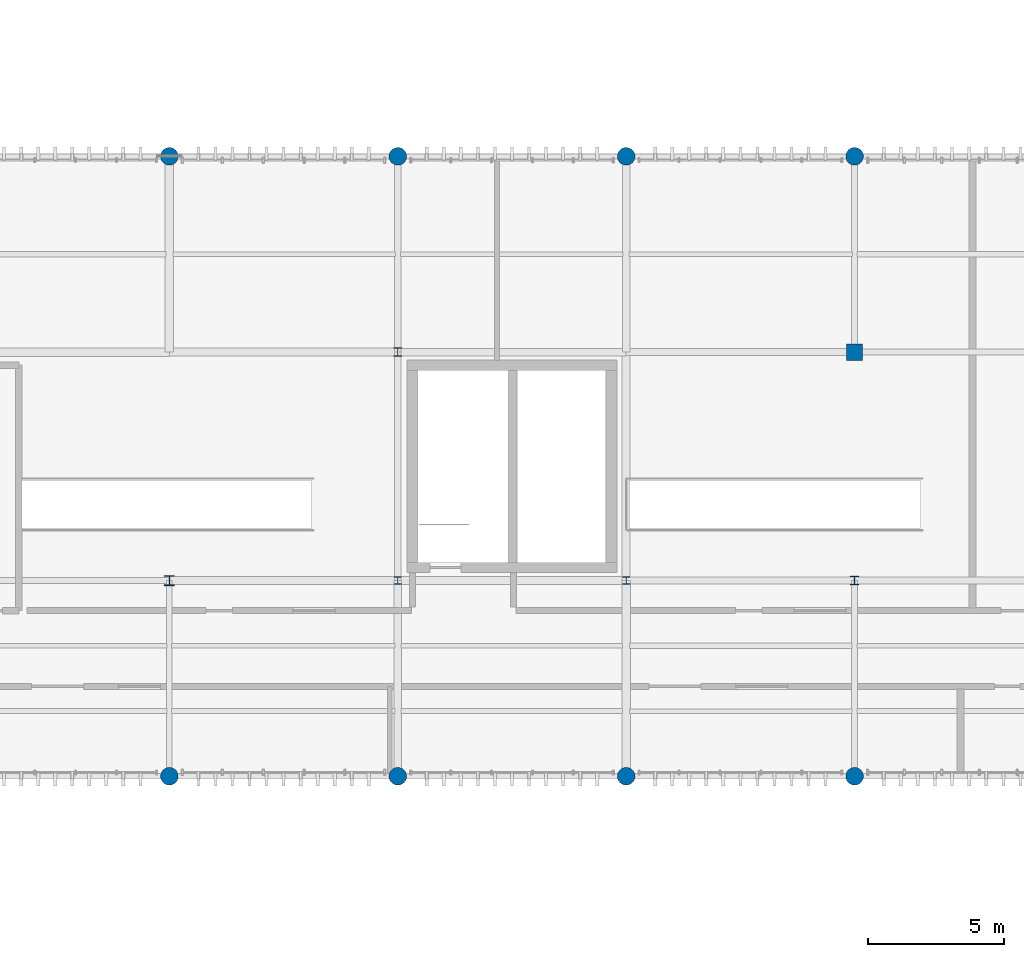
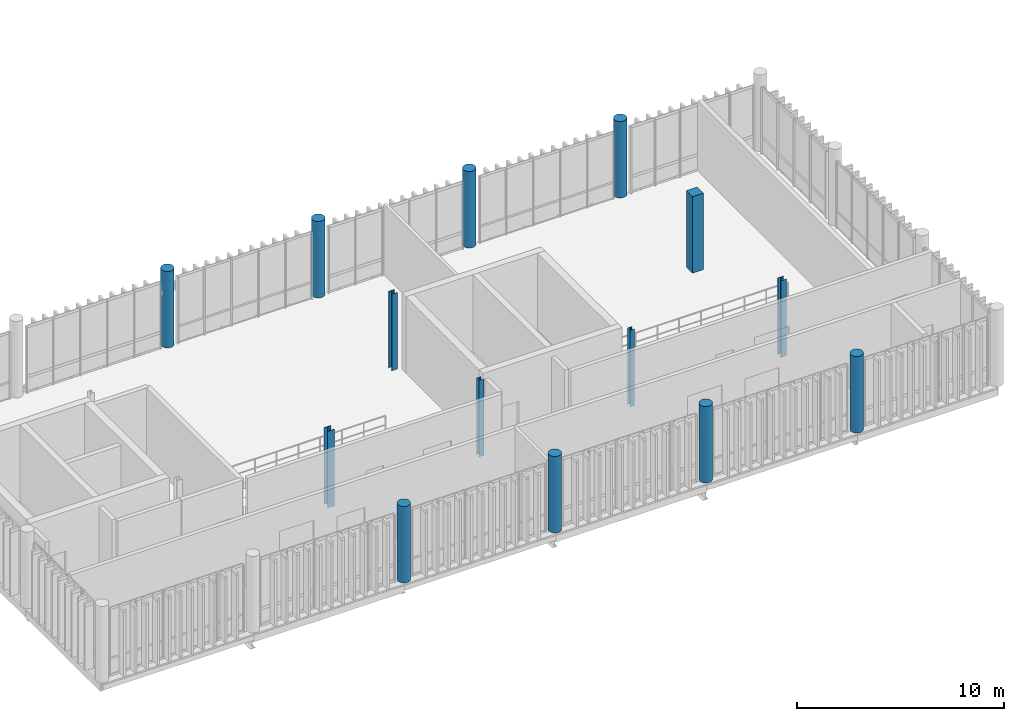
# One storey, part 3 of 66: 14 columns.
"""IFC4 building model written with IfcOpenShell, lengths in metres."""

from ifc_helpers import new_model, si_unit, direction, frame, origin_with_axes, origin_2d_with_axis, place, context, subcontext, project, spatial, rectangle, circle, i_section, extrude, material, material_profile, profile_set, type_object, element, save


model = new_model("IFC4")

# Units and contexts
model_context = context("Model", 3, precision=1e-05, world=origin_with_axes(), true_north=direction((0.0, 1.0)))
body_context = subcontext(model_context, "Body", "Model", "MODEL_VIEW")
ifc_project = project(units=[si_unit("LENGTHUNIT", "METRE"), si_unit("AREAUNIT", "SQUARE_METRE"), si_unit("VOLUMEUNIT", "CUBIC_METRE"), si_unit("PLANEANGLEUNIT", "RADIAN"), si_unit("MASSUNIT", "GRAM", prefix="KILO"), si_unit("THERMODYNAMICTEMPERATUREUNIT", "KELVIN")], contexts=[model_context])

# Site, building, storey
site_placement = place(None, origin_with_axes())
site = spatial("IfcSite", under=ifc_project, at=site_placement, CompositionType="ELEMENT")
building_placement = place(site_placement, origin_with_axes())
building = spatial("IfcBuilding", under=site, at=building_placement, Name="Montbau Bow Law Courts", CompositionType="ELEMENT")
storey_placement = place(building_placement, frame((0.0, 0.0, 34.5), z_axis=(0.0, 0.0, 1.0), x_axis=(1.0, 0.0, 0.0)))
storey = spatial("IfcBuildingStorey", under=building, at=storey_placement, Name="L07", CompositionType="ELEMENT", Elevation=34.5)

# Columns
ifc_material_1 = material(Name="Concrete CSA A23.1 f'c 40 MPa", Category="concrete")
ifc_material_profile_1 = material_profile(ifc_material_1, rectangle(XDim=0.6, YDim=0.6, at=origin_2d_with_axis()), Name="RC600X600", Category="Main", Priority=0)
ifc_profile_set_1 = profile_set([ifc_material_profile_1], Name="Concrete CSA A23.1 f'c 40 MPa")
column_type_1 = type_object("IfcColumnType", Name="C-RC-06", PredefinedType="COLUMN", material=ifc_profile_set_1)
column_1_placement = place(None, frame((97.2, 54.6, 34.5), z_axis=(0.0, 0.0, 1.0), x_axis=(1.0, 0.0, 0.0)))
element("IfcColumn", 1, at=column_1_placement, inside=storey, type_object=column_type_1, Name="C-L07-S1041:col2_1041", PredefinedType="COLUMN", context=body_context, shape_type="SweptSolid", body=[
    extrude(rectangle(XDim=0.6, YDim=0.6, at=origin_2d_with_axis()), origin_with_axes(), (0.0, 0.0, 1.0), 4.5),
])
ifc_material_profile_2 = material_profile(ifc_material_1, circle(Radius=0.325, at=origin_2d_with_axis()), Name="RC650D", Category="Main", Priority=0)
ifc_profile_set_2 = profile_set([ifc_material_profile_2], Name="Concrete CSA A23.1 f'c 40 MPa")
column_type_2 = type_object("IfcColumnType", Name="C-RC-08", PredefinedType="COLUMN", material=ifc_profile_set_2)
for number, where, z_axis, x_axis, name in (
    (2, (72.0, 39.0, 34.5), (0.0, 0.0, 1.0), (1.0, 0.0, 0.0), "C-L07-S1029:col2_1029"),
    (3, (72.0, 61.8, 34.5), (0.0, 0.0, 1.0), (1.0, 0.0, 0.0), "C-L07-S1031:col2_1031"),
    (4, (80.4, 39.0, 34.5), (0.0, 0.0, 1.0), (1.0, 0.0, 0.0), "C-L07-S1032:col2_1032"),
    (5, (80.4, 61.8, 34.5), (0.0, 0.0, 1.0), (1.0, 0.0, 0.0), "C-L07-S1035:col2_1035"),
    (6, (88.8, 39.0, 34.5), (0.0, 0.0, 1.0), (1.0, 0.0, 0.0), "C-L07-S1036:col2_1036"),
    (7, (88.8, 61.8, 34.5), (0.0, 0.0, 1.0), (1.0, 0.0, 0.0), "C-L07-S1038:col2_1038"),
    (8, (97.2, 39.0, 34.5), (0.0, 0.0, 1.0), (1.0, 0.0, 0.0), "C-L07-S1039:col2_1039"),
    (9, (97.2, 61.8, 34.5), (0.0, 0.0, 1.0), (1.0, 0.0, 0.0), "C-L07-S1042:col2_1042"),
):
    element("IfcColumn", number, at=place(None, frame(where, z_axis=z_axis, x_axis=x_axis)), inside=storey, type_object=column_type_2, Name=name, PredefinedType="COLUMN", context=body_context, shape_type="SweptSolid", body=[
        extrude(circle(Radius=0.325, at=origin_2d_with_axis()), origin_with_axes(), (0.0, 0.0, 1.0), 4.5),
    ])
ifc_material_2 = material(Name="Steel CSA G40.21 Grade 350W (350 MPa)", Category="steel")
ifc_material_profile_3 = material_profile(ifc_material_2, i_section(OverallWidth=0.373, OverallDepth=0.368, WebThickness=0.015, FlangeThickness=0.0239, at=origin_2d_with_axis()), Name="W360X179", Category="Main", Priority=0)
ifc_profile_set_3 = profile_set([ifc_material_profile_3], Name="Steel CSA G40.21 Grade 350W (350 MPa)")
column_type_3 = type_object("IfcColumnType", Name="C-STL-04", PredefinedType="COLUMN", material=ifc_profile_set_3)
column_2_placement = place(None, frame((72.0, 46.2, 34.5), z_axis=(0.0, 0.0, 1.0), x_axis=(1.0, 0.0, 0.0)))
element("IfcColumn", 10, at=column_2_placement, inside=storey, type_object=column_type_3, Name="C-L07-S1030:col2_1030", PredefinedType="COLUMN", context=body_context, shape_type="SweptSolid", body=[
    extrude(i_section(OverallWidth=0.373, OverallDepth=0.368, WebThickness=0.015, FlangeThickness=0.0239, at=origin_2d_with_axis()), origin_with_axes(), (0.0, 0.0, 1.0), 4.5),
])
ifc_material_profile_4 = material_profile(ifc_material_2, i_section(OverallWidth=0.305, OverallDepth=0.308, WebThickness=0.0099, FlangeThickness=0.0154, at=origin_2d_with_axis()), Name="W310X97", Category="Main", Priority=0)
ifc_profile_set_4 = profile_set([ifc_material_profile_4], Name="Steel CSA G40.21 Grade 350W (350 MPa)")
column_type_4 = type_object("IfcColumnType", Name="C-STL-07", PredefinedType="COLUMN", material=ifc_profile_set_4)
for number, where, z_axis, x_axis, name in (
    (11, (80.4, 54.6, 34.5), (0.0, 0.0, 1.0), (1.0, 0.0, 0.0), "C-L07-S1034:col2_1034"),
    (12, (97.2, 46.2, 34.5), (0.0, 0.0, 1.0), (1.0, 0.0, 0.0), "C-L07-S1040:col2_1040"),
):
    element("IfcColumn", number, at=place(None, frame(where, z_axis=z_axis, x_axis=x_axis)), inside=storey, type_object=column_type_4, Name=name, PredefinedType="COLUMN", context=body_context, shape_type="SweptSolid", body=[
        extrude(i_section(OverallWidth=0.305, OverallDepth=0.308, WebThickness=0.0099, FlangeThickness=0.0154, at=origin_2d_with_axis()), origin_with_axes(), (0.0, 0.0, 1.0), 4.5),
    ])
ifc_material_profile_5 = material_profile(ifc_material_2, i_section(OverallWidth=0.256, OverallDepth=0.26, WebThickness=0.0107, FlangeThickness=0.0173, at=origin_2d_with_axis()), Name="W250X89", Category="Main", Priority=0)
ifc_profile_set_5 = profile_set([ifc_material_profile_5], Name="Steel CSA G40.21 Grade 350W (350 MPa)")
column_type_5 = type_object("IfcColumnType", Name="C-STL-08", PredefinedType="COLUMN", material=ifc_profile_set_5)
for number, where, z_axis, x_axis, name in (
    (13, (80.4, 46.2, 34.5), (0.0, 0.0, 1.0), (1.0, 0.0, 0.0), "C-L07-S1033:col2_1033"),
    (14, (88.8, 46.2, 34.5), (0.0, 0.0, 1.0), (1.0, 0.0, 0.0), "C-L07-S1037:col2_1037"),
):
    element("IfcColumn", number, at=place(None, frame(where, z_axis=z_axis, x_axis=x_axis)), inside=storey, type_object=column_type_5, Name=name, PredefinedType="COLUMN", context=body_context, shape_type="SweptSolid", body=[
        extrude(i_section(OverallWidth=0.256, OverallDepth=0.26, WebThickness=0.0107, FlangeThickness=0.0173, at=origin_2d_with_axis()), origin_with_axes(), (0.0, 0.0, 1.0), 4.5),
    ])

save(model, "model.ifc")
